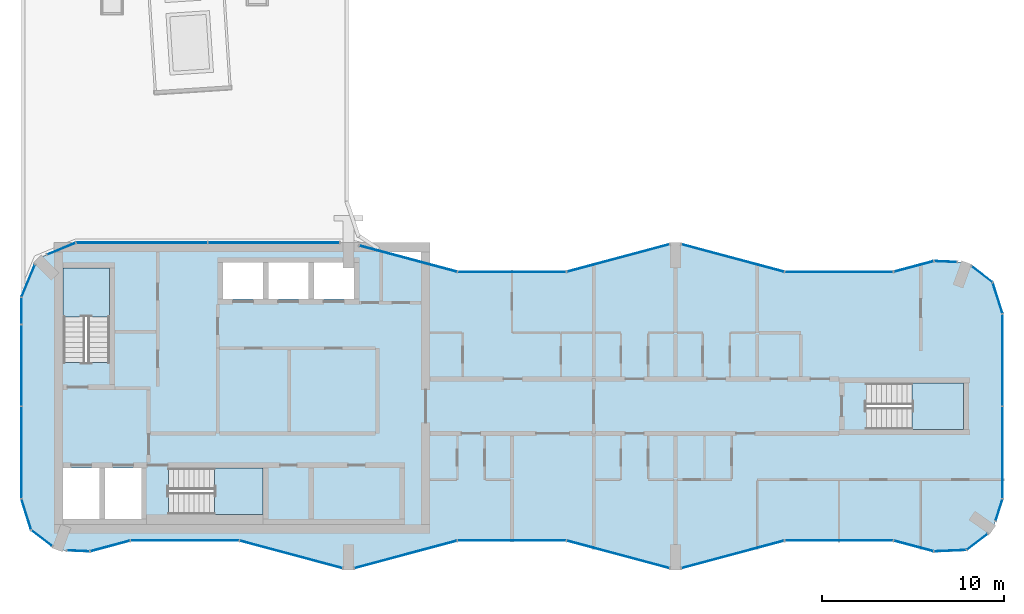
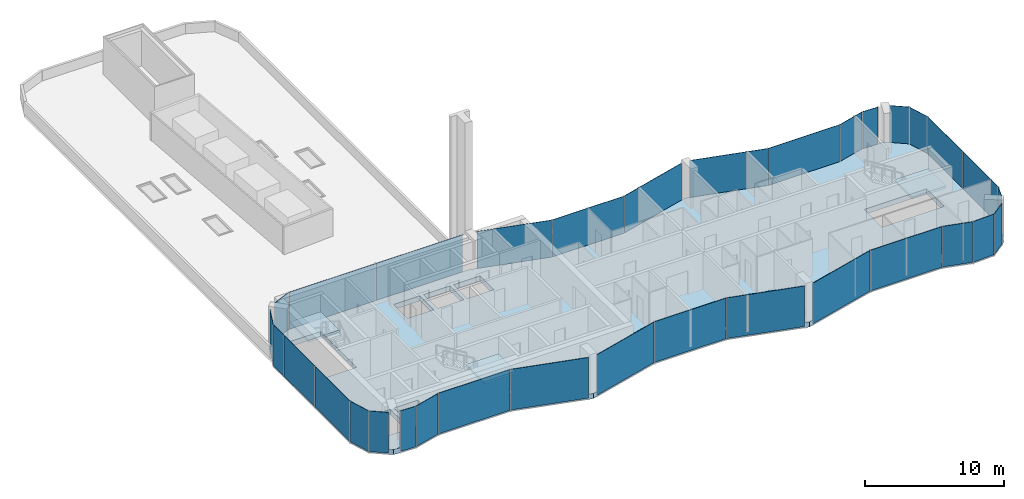
# One storey, part 6 of 13: 33 plates, 4 slabs, 32 elements without a shape of their own.
"""IFC4 building model written with IfcOpenShell, lengths in metres."""

from ifc_helpers import new_model, si_unit, direction, frame, origin, origin_2d, place, context, subcontext, project, spatial, polyline, rectangle, outline, extrude, material, layer, layer_set, type_object, element, aggregate, save


model = new_model("IFC4")

# Units and contexts
model_context = context("Model", 3, precision=1e-05, world=origin(), true_north=direction((0.0, 1.0)))
body_context = subcontext(model_context, "Body", "Model", "MODEL_VIEW")
ifc_project = project(units=[si_unit("LENGTHUNIT", "METRE"), si_unit("AREAUNIT", "SQUARE_METRE"), si_unit("VOLUMEUNIT", "CUBIC_METRE"), si_unit("PLANEANGLEUNIT", "RADIAN"), si_unit("MASSUNIT", "GRAM", prefix="KILO")], contexts=[model_context])

# Site, building, storey
site_placement = place(None, origin())
site = spatial("IfcSite", under=ifc_project, at=site_placement, CompositionType="ELEMENT")
building_placement = place(site_placement, origin())
building = spatial("IfcBuilding", under=site, at=building_placement, Name="Plateau Cross Towers", CompositionType="ELEMENT")
storey_placement = place(building_placement, frame((0.0, 0.0, 229.39990234375)))
storey = spatial("IfcBuildingStorey", under=building, at=storey_placement, Name="L60", CompositionType="ELEMENT", Elevation=229.39990234375)

# Curtain wall, plate
ifc_material_1 = material(Name="Dark low-iron glass", Category="glass")
ifc_layer_1 = layer(ifc_material_1, 0.239990234375)
ifc_layer_set_1 = layer_set([ifc_layer_1], Name="Dark low-iron glass")
curtain_wall_type_1 = type_object("IfcCurtainWallType", Name="Curtain wall flush unitised CW-B", PredefinedType="NOTDEFINED", material=ifc_layer_set_1)
curtain_wall_1_placement = place(storey_placement, origin())
curtain_wall_1 = element("IfcCurtainWall", 1, at=curtain_wall_1_placement, inside=storey, type_object=curtain_wall_type_1, Name="ENV/A/L60/A502_10", PredefinedType="NOTDEFINED")
ifc_layer_2 = layer(ifc_material_1, 0.031982421875)
ifc_layer_set_2 = layer_set([ifc_layer_2], Name="Dark low-iron glass")
plate_type_1 = type_object("IfcPlateType", Name="Glass panel 32 flush unitised", PredefinedType="CURTAIN_PANEL", material=ifc_layer_set_2)
plate_1_placement = place(storey_placement, frame((51.125, 1.05078125, -0.329833984375), z_axis=(0.0, 0.0, 1.0), x_axis=(0.999043701491, 0.043722791671, 0.0)))
plate_1 = element("IfcPlate", 2, at=plate_1_placement, type_object=plate_type_1, Name="CW-B panel 1", PredefinedType="CURTAIN_PANEL", context=body_context, shape_type="SweptSolid", body=[
    extrude(rectangle(XDim=1.744140625, YDim=0.031982421875, at=origin_2d()), origin(), (0.0, 0.0, 1.0), 3.580078125),
])
aggregate(curtain_wall_1, [plate_1])

curtain_wall_2_placement = place(storey_placement, origin())
curtain_wall_2 = element("IfcCurtainWall", 3, at=curtain_wall_2_placement, inside=storey, type_object=curtain_wall_type_1, Name="ENV/A/L60/A520_11", PredefinedType="NOTDEFINED")
plate_2_placement = place(storey_placement, frame((52.60986328125, 1.5380859375, -0.329833984375), z_axis=(0.0, 0.0, 1.0), x_axis=(0.793315514529, 0.608810721331, 0.0)))
plate_2 = element("IfcPlate", 4, at=plate_2_placement, type_object=plate_type_1, Name="CW-B panel 1", PredefinedType="CURTAIN_PANEL", context=body_context, shape_type="SweptSolid", body=[
    extrude(rectangle(XDim=1.41162109375, YDim=0.031982421875, at=origin_2d()), origin(), (0.0, 0.0, 1.0), 3.580078125),
])
aggregate(curtain_wall_2, [plate_2])

curtain_wall_3_placement = place(storey_placement, origin())
curtain_wall_3 = element("IfcCurtainWall", 5, at=curtain_wall_3_placement, inside=storey, type_object=curtain_wall_type_1, Name="ENV/A/L60/A536_27", PredefinedType="NOTDEFINED")
plate_3_placement = place(storey_placement, frame((53.805419921875, 3.292236328125, -0.329833984375), z_axis=(0.0, 0.0, 1.0), x_axis=(0.300686174994, 0.95372313811, 0.0)))
plate_3 = element("IfcPlate", 6, at=plate_3_placement, type_object=plate_type_1, Name="CW-B panel 1", PredefinedType="CURTAIN_PANEL", context=body_context, shape_type="SweptSolid", body=[
    extrude(rectangle(XDim=1.233642578125, YDim=0.031982421875, at=origin_2d()), origin(), (0.0, 0.0, 1.0), 3.580078125),
])
aggregate(curtain_wall_3, [plate_3])

# Curtain wall, plates
curtain_wall_4_placement = place(storey_placement, origin())
curtain_wall_4 = element("IfcCurtainWall", 7, at=curtain_wall_4_placement, inside=storey, type_object=curtain_wall_type_1, Name="ENV/A/L60/A540_39", PredefinedType="NOTDEFINED")
plate_4_placement = place(storey_placement, frame((54.0, 6.45458984375, -0.329833984375), z_axis=(0.0, 0.0, 1.0), x_axis=(0.0, 1.0, 0.0)))
plate_4 = element("IfcPlate", 8, at=plate_4_placement, type_object=plate_type_1, Name="CW-B panel 1", PredefinedType="CURTAIN_PANEL", context=body_context, shape_type="SweptSolid", body=[
    extrude(rectangle(XDim=5.03076171875, YDim=0.031982421875, at=origin_2d()), origin(), (0.0, 0.0, 1.0), 3.580078125),
])
plate_5_placement = place(storey_placement, frame((54.0, 11.54541015625, -0.329833984375), z_axis=(0.0, 0.0, 1.0), x_axis=(0.0, 1.0, 0.0)))
plate_5 = element("IfcPlate", 9, at=plate_5_placement, type_object=plate_type_1, Name="CW-B panel 2", PredefinedType="CURTAIN_PANEL", context=body_context, shape_type="SweptSolid", body=[
    extrude(rectangle(XDim=5.03076171875, YDim=0.031982421875, at=origin_2d()), origin(), (0.0, 0.0, 1.0), 3.580078125),
])
aggregate(curtain_wall_4, [plate_4, plate_5])

# Curtain wall, plate
curtain_wall_5_placement = place(storey_placement, origin())
curtain_wall_5 = element("IfcCurtainWall", 10, at=curtain_wall_5_placement, inside=storey, type_object=curtain_wall_type_1, Name="ENV/A/L60/A540_141", PredefinedType="NOTDEFINED")
plate_6_placement = place(storey_placement, frame((53.728759765625, 14.951171875, -0.329833984375), z_axis=(0.0, 0.0, 1.0), x_axis=(-0.300686174994, 0.95372313811, 0.0)))
plate_6 = element("IfcPlate", 11, at=plate_6_placement, type_object=plate_type_1, Name="CW-B panel 1", PredefinedType="CURTAIN_PANEL", context=body_context, shape_type="SweptSolid", body=[
    extrude(rectangle(XDim=1.744140625, YDim=0.031982421875, at=origin_2d()), origin(), (0.0, 0.0, 1.0), 3.580078125),
])
aggregate(curtain_wall_5, [plate_6])

curtain_wall_6_placement = place(storey_placement, origin())
curtain_wall_6 = element("IfcCurtainWall", 12, at=curtain_wall_6_placement, inside=storey, type_object=curtain_wall_type_1, Name="ENV/A/L60/A535_158", PredefinedType="NOTDEFINED")
plate_7_placement = place(storey_placement, frame((52.873779296875, 16.25927734375, -0.329833984375), z_axis=(0.0, 0.0, 1.0), x_axis=(-0.793315514529, 0.608810721331, 0.0)))
plate_7 = element("IfcPlate", 13, at=plate_7_placement, type_object=plate_type_1, Name="CW-B panel 1", PredefinedType="CURTAIN_PANEL", context=body_context, shape_type="SweptSolid", body=[
    extrude(rectangle(XDim=1.41162109375, YDim=0.031982421875, at=origin_2d()), origin(), (0.0, 0.0, 1.0), 3.580078125),
])
aggregate(curtain_wall_6, [plate_7])

curtain_wall_7_placement = place(storey_placement, origin())
curtain_wall_7 = element("IfcCurtainWall", 14, at=curtain_wall_7_placement, inside=storey, type_object=curtain_wall_type_1, Name="ENV/A/L60/A515_169", PredefinedType="NOTDEFINED")
plate_8_placement = place(storey_placement, frame((50.8701171875, 16.96044921875, -0.329833984375), z_axis=(0.0, 0.0, 1.0), x_axis=(-0.999043701491, 0.043722791671, 0.0)))
plate_8 = element("IfcPlate", 15, at=plate_8_placement, type_object=plate_type_1, Name="CW-B panel 1", PredefinedType="CURTAIN_PANEL", context=body_context, shape_type="SweptSolid", body=[
    extrude(rectangle(XDim=1.233642578125, YDim=0.031982421875, at=origin_2d()), origin(), (0.0, 0.0, 1.0), 3.580078125),
])
aggregate(curtain_wall_7, [plate_8])

# Curtain wall, plates
curtain_wall_8_placement = place(storey_placement, origin())
curtain_wall_8 = element("IfcCurtainWall", 16, at=curtain_wall_8_placement, inside=storey, type_object=curtain_wall_type_1, Name="ENV/A/L60/A175_180", PredefinedType="NOTDEFINED")
plate_9_placement = place(storey_placement, frame((13.884765625, 18.0, -0.329833984375), z_axis=(0.0, 0.0, 1.0), x_axis=(-1.0, 0.0, 0.0)))
plate_9 = element("IfcPlate", 17, at=plate_9_placement, type_object=plate_type_1, Name="CW-B panel 1", PredefinedType="CURTAIN_PANEL", context=body_context, shape_type="SweptSolid", body=[
    extrude(rectangle(XDim=7.196533203125, YDim=0.031982421875, at=origin_2d()), origin(), (0.0, 0.0, 1.0), 3.580078125),
])
plate_10_placement = place(storey_placement, frame((6.628173828125, 18.0, -0.329833984375), z_axis=(0.0, 0.0, 1.0), x_axis=(-1.0, 0.0, 0.0)))
plate_10 = element("IfcPlate", 18, at=plate_10_placement, type_object=plate_type_1, Name="CW-B panel 2", PredefinedType="CURTAIN_PANEL", context=body_context, shape_type="SweptSolid", body=[
    extrude(rectangle(XDim=7.196533203125, YDim=0.031982421875, at=origin_2d()), origin(), (0.0, 0.0, 1.0), 3.580078125),
])
aggregate(curtain_wall_8, [plate_9, plate_10])

# Curtain wall, plate
curtain_wall_9_placement = place(storey_placement, origin())
curtain_wall_9 = element("IfcCurtainWall", 19, at=curtain_wall_9_placement, inside=storey, type_object=curtain_wall_type_1, Name="ENV/A/L60/A30_180", PredefinedType="NOTDEFINED")
plate_11_placement = place(storey_placement, frame((2.20166015625, 17.66943359375, -0.329833984375), z_axis=(0.0, 0.0, 1.0), x_axis=(-0.923879457699, -0.382683612978, 0.0)))
plate_11 = element("IfcPlate", 20, at=plate_11_placement, type_object=plate_type_1, Name="CW-B panel 1", PredefinedType="CURTAIN_PANEL", context=body_context, shape_type="SweptSolid", body=[
    extrude(rectangle(XDim=1.668212890625, YDim=0.031982421875, at=origin_2d()), origin(), (0.0, 0.0, 1.0), 3.580078125),
])
aggregate(curtain_wall_9, [plate_11])

curtain_wall_10_placement = place(storey_placement, origin())
curtain_wall_10 = element("IfcCurtainWall", 21, at=curtain_wall_10_placement, inside=storey, type_object=curtain_wall_type_1, Name="ENV/A/L60/A7_168", PredefinedType="NOTDEFINED")
plate_12_placement = place(storey_placement, frame((0.3740234375, 15.90283203125, -0.329833984375), z_axis=(0.0, 0.0, 1.0), x_axis=(-0.382683612978, -0.923879457699, 0.0)))
plate_12 = element("IfcPlate", 22, at=plate_12_placement, type_object=plate_type_1, Name="CW-B panel 1", PredefinedType="CURTAIN_PANEL", context=body_context, shape_type="SweptSolid", body=[
    extrude(rectangle(XDim=1.894775390625, YDim=0.031982421875, at=origin_2d()), origin(), (0.0, 0.0, 1.0), 3.580078125),
])
aggregate(curtain_wall_10, [plate_12])

# Curtain wall, plates
curtain_wall_11_placement = place(storey_placement, origin())
curtain_wall_11 = element("IfcCurtainWall", 23, at=curtain_wall_11_placement, inside=storey, type_object=curtain_wall_type_1, Name="ENV/A/L60/A0_150", PredefinedType="NOTDEFINED")
plate_13_placement = place(storey_placement, frame((0.0, 14.25, -0.329833984375), z_axis=(0.0, 0.0, 1.0), x_axis=(0.0, -1.0, 0.0)))
plate_13 = element("IfcPlate", 24, at=plate_13_placement, type_object=plate_type_1, Name="CW-B panel 1", PredefinedType="CURTAIN_PANEL", context=body_context, shape_type="SweptSolid", body=[
    extrude(rectangle(XDim=1.43994140625, YDim=0.031982421875, at=origin_2d()), origin(), (0.0, 0.0, 1.0), 3.580078125),
])
plate_14_placement = place(storey_placement, frame((0.0, 11.25, -0.329833984375), z_axis=(0.0, 0.0, 1.0), x_axis=(0.0, -1.0, 0.0)))
plate_14 = element("IfcPlate", 25, at=plate_14_placement, type_object=plate_type_1, Name="CW-B panel 2", PredefinedType="CURTAIN_PANEL", context=body_context, shape_type="SweptSolid", body=[
    extrude(rectangle(XDim=4.43994140625, YDim=0.031982421875, at=origin_2d()), origin(), (0.0, 0.0, 1.0), 3.580078125),
])
plate_15_placement = place(storey_placement, frame((0.0, 6.45458984375, -0.329833984375), z_axis=(0.0, 0.0, 1.0), x_axis=(0.0, -1.0, 0.0)))
plate_15 = element("IfcPlate", 26, at=plate_15_placement, type_object=plate_type_1, Name="CW-B panel 3", PredefinedType="CURTAIN_PANEL", context=body_context, shape_type="SweptSolid", body=[
    extrude(rectangle(XDim=5.03076171875, YDim=0.031982421875, at=origin_2d()), origin(), (0.0, 0.0, 1.0), 3.580078125),
])
aggregate(curtain_wall_11, [plate_13, plate_14, plate_15])

# Curtain wall, plate
curtain_wall_12_placement = place(storey_placement, origin())
curtain_wall_12 = element("IfcCurtainWall", 27, at=curtain_wall_12_placement, inside=storey, type_object=curtain_wall_type_1, Name="ENV/A/L60/A0_39", PredefinedType="NOTDEFINED")
plate_16_placement = place(storey_placement, frame((0.271240234375, 3.048828125, -0.329833984375), z_axis=(0.0, 0.0, 1.0), x_axis=(0.300686174994, -0.95372313811, 0.0)))
plate_16 = element("IfcPlate", 28, at=plate_16_placement, type_object=plate_type_1, Name="CW-B panel 1", PredefinedType="CURTAIN_PANEL", context=body_context, shape_type="SweptSolid", body=[
    extrude(rectangle(XDim=1.744140625, YDim=0.031982421875, at=origin_2d()), origin(), (0.0, 0.0, 1.0), 3.580078125),
])
aggregate(curtain_wall_12, [plate_16])

curtain_wall_13_placement = place(storey_placement, origin())
curtain_wall_13 = element("IfcCurtainWall", 29, at=curtain_wall_13_placement, inside=storey, type_object=curtain_wall_type_1, Name="ENV/A/L60/A5_22", PredefinedType="NOTDEFINED")
plate_17_placement = place(storey_placement, frame((1.126220703125, 1.74072265625, -0.329833984375), z_axis=(0.0, 0.0, 1.0), x_axis=(0.793315514529, -0.608810721331, 0.0)))
plate_17 = element("IfcPlate", 30, at=plate_17_placement, type_object=plate_type_1, Name="CW-B panel 1", PredefinedType="CURTAIN_PANEL", context=body_context, shape_type="SweptSolid", body=[
    extrude(rectangle(XDim=1.41162109375, YDim=0.031982421875, at=origin_2d()), origin(), (0.0, 0.0, 1.0), 3.580078125),
])
aggregate(curtain_wall_13, [plate_17])

curtain_wall_14_placement = place(storey_placement, origin())
curtain_wall_14 = element("IfcCurtainWall", 31, at=curtain_wall_14_placement, inside=storey, type_object=curtain_wall_type_1, Name="ENV/A/L60/A25_11", PredefinedType="NOTDEFINED")
plate_18_placement = place(storey_placement, frame((3.1298828125, 1.03955078125, -0.329833984375), z_axis=(0.0, 0.0, 1.0), x_axis=(0.999043701491, -0.043722791671, 0.0)))
plate_18 = element("IfcPlate", 32, at=plate_18_placement, type_object=plate_type_1, Name="CW-B panel 1", PredefinedType="CURTAIN_PANEL", context=body_context, shape_type="SweptSolid", body=[
    extrude(rectangle(XDim=1.233642578125, YDim=0.031982421875, at=origin_2d()), origin(), (0.0, 0.0, 1.0), 3.580078125),
])
aggregate(curtain_wall_14, [plate_18])

ifc_layer_3 = layer(ifc_material_1, 0.260009765625)
ifc_layer_set_3 = layer_set([ifc_layer_3], Name="Dark low-iron glass")
curtain_wall_type_2 = type_object("IfcCurtainWallType", Name="Curtain wall fluted unitised CW-A", PredefinedType="NOTDEFINED", material=ifc_layer_set_3)
curtain_wall_15_placement = place(storey_placement, origin())
curtain_wall_15 = element("IfcCurtainWall", 33, at=curtain_wall_15_placement, inside=storey, type_object=curtain_wall_type_2, Name="ENV/A/L60/A38_10", PredefinedType="NOTDEFINED")
ifc_layer_4 = layer(ifc_material_1, 0.035888671875)
ifc_layer_set_4 = layer_set([ifc_layer_4], Name="Dark low-iron glass")
plate_type_2 = type_object("IfcPlateType", Name="Glass panel 36 fluted unitised", PredefinedType="CURTAIN_PANEL", material=ifc_layer_set_4)
plate_19_placement = place(storey_placement, frame((4.887939453125, 1.30908203125, -0.329833984375), z_axis=(0.0, 0.0, 1.0), x_axis=(0.965957962328, 0.258699081978, 0.0)))
plate_19 = element("IfcPlate", 34, at=plate_19_placement, type_object=plate_type_2, Name="CW-A panel 1", PredefinedType="CURTAIN_PANEL", context=body_context, shape_type="SweptSolid", body=[
    extrude(rectangle(XDim=2.2421875, YDim=0.035888671875, at=origin_2d()), origin(), (0.0, 0.0, 1.0), 3.580078125),
])
aggregate(curtain_wall_15, [plate_19])

curtain_wall_16_placement = place(storey_placement, origin())
curtain_wall_16 = element("IfcCurtainWall", 35, at=curtain_wall_16_placement, inside=storey, type_object=curtain_wall_type_2, Name="ENV/A/L60/A60_16", PredefinedType="NOTDEFINED")
plate_20_placement = place(storey_placement, frame((9.0, 1.60693359375, -0.329833984375), z_axis=(0.0, 0.0, 1.0), x_axis=(1.0, 0.0, 0.0)))
plate_20 = element("IfcPlate", 36, at=plate_20_placement, type_object=plate_type_2, Name="CW-A panel 1", PredefinedType="CURTAIN_PANEL", context=body_context, shape_type="SweptSolid", body=[
    extrude(rectangle(XDim=5.93994140625, YDim=0.035888671875, at=origin_2d()), origin(), (0.0, 0.0, 1.0), 3.580078125),
])
aggregate(curtain_wall_16, [plate_20])

curtain_wall_17_placement = place(storey_placement, origin())
curtain_wall_17 = element("IfcCurtainWall", 37, at=curtain_wall_17_placement, inside=storey, type_object=curtain_wall_type_2, Name="ENV/A/L60/A120_16", PredefinedType="NOTDEFINED")
plate_21_placement = place(storey_placement, frame((14.841064453125, 0.845947265625, -0.329833984375), z_axis=(0.0, 0.0, 1.0), x_axis=(0.965957983404, -0.258699003279, 0.0)))
plate_21 = element("IfcPlate", 38, at=plate_21_placement, type_object=plate_type_2, Name="CW-A panel 1", PredefinedType="CURTAIN_PANEL", context=body_context, shape_type="SweptSolid", body=[
    extrude(rectangle(XDim=5.822265625, YDim=0.035888671875, at=origin_2d()), origin(), (0.0, 0.0, 1.0), 3.580078125),
])
aggregate(curtain_wall_17, [plate_21])

curtain_wall_18_placement = place(storey_placement, origin())
curtain_wall_18 = element("IfcCurtainWall", 39, at=curtain_wall_18_placement, inside=storey, type_object=curtain_wall_type_2, Name="ENV/A/L60/A183_1", PredefinedType="NOTDEFINED")
plate_22_placement = place(storey_placement, frame((21.158935546875, 0.845947265625, -0.329833984375), z_axis=(0.0, 0.0, 1.0), x_axis=(0.965957983404, 0.258699003279, 0.0)))
plate_22 = element("IfcPlate", 40, at=plate_22_placement, type_object=plate_type_2, Name="CW-A panel 1", PredefinedType="CURTAIN_PANEL", context=body_context, shape_type="SweptSolid", body=[
    extrude(rectangle(XDim=5.822265625, YDim=0.035888671875, at=origin_2d()), origin(), (0.0, 0.0, 1.0), 3.580078125),
])
aggregate(curtain_wall_18, [plate_22])

curtain_wall_19_placement = place(storey_placement, origin())
curtain_wall_19 = element("IfcCurtainWall", 41, at=curtain_wall_19_placement, inside=storey, type_object=curtain_wall_type_2, Name="ENV/A/L60/A240_16", PredefinedType="NOTDEFINED")
plate_23_placement = place(storey_placement, frame((27.0, 1.60693359375, -0.329833984375), z_axis=(0.0, 0.0, 1.0), x_axis=(1.0, 0.0, 0.0)))
plate_23 = element("IfcPlate", 42, at=plate_23_placement, type_object=plate_type_2, Name="CW-A panel 1", PredefinedType="CURTAIN_PANEL", context=body_context, shape_type="SweptSolid", body=[
    extrude(rectangle(XDim=5.93994140625, YDim=0.035888671875, at=origin_2d()), origin(), (0.0, 0.0, 1.0), 3.580078125),
])
aggregate(curtain_wall_19, [plate_23])

curtain_wall_20_placement = place(storey_placement, origin())
curtain_wall_20 = element("IfcCurtainWall", 43, at=curtain_wall_20_placement, inside=storey, type_object=curtain_wall_type_2, Name="ENV/A/L60/A300_16", PredefinedType="NOTDEFINED")
plate_24_placement = place(storey_placement, frame((32.841064453125, 0.845947265625, -0.329833984375), z_axis=(0.0, 0.0, 1.0), x_axis=(0.965957983404, -0.258699003279, 0.0)))
plate_24 = element("IfcPlate", 44, at=plate_24_placement, type_object=plate_type_2, Name="CW-A panel 1", PredefinedType="CURTAIN_PANEL", context=body_context, shape_type="SweptSolid", body=[
    extrude(rectangle(XDim=5.822265625, YDim=0.035888671875, at=origin_2d()), origin(), (0.0, 0.0, 1.0), 3.580078125),
])
aggregate(curtain_wall_20, [plate_24])

curtain_wall_21_placement = place(storey_placement, origin())
curtain_wall_21 = element("IfcCurtainWall", 45, at=curtain_wall_21_placement, inside=storey, type_object=curtain_wall_type_2, Name="ENV/A/L60/A363_1", PredefinedType="NOTDEFINED")
plate_25_placement = place(storey_placement, frame((39.158935546875, 0.845947265625, -0.329833984375), z_axis=(0.0, 0.0, 1.0), x_axis=(0.965957983404, 0.258699003279, 0.0)))
plate_25 = element("IfcPlate", 46, at=plate_25_placement, type_object=plate_type_2, Name="CW-A panel 1", PredefinedType="CURTAIN_PANEL", context=body_context, shape_type="SweptSolid", body=[
    extrude(rectangle(XDim=5.822265625, YDim=0.035888671875, at=origin_2d()), origin(), (0.0, 0.0, 1.0), 3.580078125),
])
aggregate(curtain_wall_21, [plate_25])

curtain_wall_22_placement = place(storey_placement, origin())
curtain_wall_22 = element("IfcCurtainWall", 47, at=curtain_wall_22_placement, inside=storey, type_object=curtain_wall_type_2, Name="ENV/A/L60/A420_16", PredefinedType="NOTDEFINED")
plate_26_placement = place(storey_placement, frame((45.0, 1.60693359375, -0.329833984375), z_axis=(0.0, 0.0, 1.0), x_axis=(1.0, 0.0, 0.0)))
plate_26 = element("IfcPlate", 48, at=plate_26_placement, type_object=plate_type_2, Name="CW-A panel 1", PredefinedType="CURTAIN_PANEL", context=body_context, shape_type="SweptSolid", body=[
    extrude(rectangle(XDim=5.93994140625, YDim=0.035888671875, at=origin_2d()), origin(), (0.0, 0.0, 1.0), 3.580078125),
])
aggregate(curtain_wall_22, [plate_26])

curtain_wall_23_placement = place(storey_placement, origin())
curtain_wall_23 = element("IfcCurtainWall", 49, at=curtain_wall_23_placement, inside=storey, type_object=curtain_wall_type_2, Name="ENV/A/L60/A480_16", PredefinedType="NOTDEFINED")
plate_27_placement = place(storey_placement, frame((49.112060546875, 1.30908203125, -0.329833984375), z_axis=(0.0, 0.0, 1.0), x_axis=(0.965957962328, -0.258699081978, 0.0)))
plate_27 = element("IfcPlate", 50, at=plate_27_placement, type_object=plate_type_2, Name="CW-A panel 1", PredefinedType="CURTAIN_PANEL", context=body_context, shape_type="SweptSolid", body=[
    extrude(rectangle(XDim=2.2421875, YDim=0.035888671875, at=origin_2d()), origin(), (0.0, 0.0, 1.0), 3.580078125),
])
aggregate(curtain_wall_23, [plate_27])

curtain_wall_24_placement = place(storey_placement, origin())
curtain_wall_24 = element("IfcCurtainWall", 51, at=curtain_wall_24_placement, inside=storey, type_object=curtain_wall_type_2, Name="ENV/A/L60/A502_170", PredefinedType="NOTDEFINED")
plate_28_placement = place(storey_placement, frame((49.112060546875, 16.69091796875, -0.329833984375), z_axis=(0.0, 0.0, 1.0), x_axis=(-0.965957962328, -0.258699081978, 0.0)))
plate_28 = element("IfcPlate", 52, at=plate_28_placement, type_object=plate_type_2, Name="CW-A panel 1", PredefinedType="CURTAIN_PANEL", context=body_context, shape_type="SweptSolid", body=[
    extrude(rectangle(XDim=2.2421875, YDim=0.035888671875, at=origin_2d()), origin(), (0.0, 0.0, 1.0), 3.580078125),
])
aggregate(curtain_wall_24, [plate_28])

curtain_wall_25_placement = place(storey_placement, origin())
curtain_wall_25 = element("IfcCurtainWall", 53, at=curtain_wall_25_placement, inside=storey, type_object=curtain_wall_type_2, Name="ENV/A/L60/A480_164", PredefinedType="NOTDEFINED")
plate_29_placement = place(storey_placement, frame((45.0, 16.39306640625, -0.329833984375), z_axis=(0.0, 0.0, 1.0), x_axis=(-1.0, 0.0, 0.0)))
plate_29 = element("IfcPlate", 54, at=plate_29_placement, type_object=plate_type_2, Name="CW-A panel 1", PredefinedType="CURTAIN_PANEL", context=body_context, shape_type="SweptSolid", body=[
    extrude(rectangle(XDim=5.93994140625, YDim=0.035888671875, at=origin_2d()), origin(), (0.0, 0.0, 1.0), 3.580078125),
])
aggregate(curtain_wall_25, [plate_29])

curtain_wall_26_placement = place(storey_placement, origin())
curtain_wall_26 = element("IfcCurtainWall", 55, at=curtain_wall_26_placement, inside=storey, type_object=curtain_wall_type_2, Name="ENV/A/L60/A420_164", PredefinedType="NOTDEFINED")
plate_30_placement = place(storey_placement, frame((39.158935546875, 17.154052734375, -0.329833984375), z_axis=(0.0, 0.0, 1.0), x_axis=(-0.965957983404, 0.258699003279, 0.0)))
plate_30 = element("IfcPlate", 56, at=plate_30_placement, type_object=plate_type_2, Name="CW-A panel 1", PredefinedType="CURTAIN_PANEL", context=body_context, shape_type="SweptSolid", body=[
    extrude(rectangle(XDim=5.822265625, YDim=0.035888671875, at=origin_2d()), origin(), (0.0, 0.0, 1.0), 3.580078125),
])
aggregate(curtain_wall_26, [plate_30])

curtain_wall_27_placement = place(storey_placement, origin())
curtain_wall_27 = element("IfcCurtainWall", 57, at=curtain_wall_27_placement, inside=storey, type_object=curtain_wall_type_2, Name="ENV/A/L60/A357_179", PredefinedType="NOTDEFINED")
plate_31_placement = place(storey_placement, frame((32.841064453125, 17.154052734375, -0.329833984375), z_axis=(0.0, 0.0, 1.0), x_axis=(-0.965957983404, -0.258699003279, 0.0)))
plate_31 = element("IfcPlate", 58, at=plate_31_placement, type_object=plate_type_2, Name="CW-A panel 1", PredefinedType="CURTAIN_PANEL", context=body_context, shape_type="SweptSolid", body=[
    extrude(rectangle(XDim=5.822265625, YDim=0.035888671875, at=origin_2d()), origin(), (0.0, 0.0, 1.0), 3.580078125),
])
aggregate(curtain_wall_27, [plate_31])

curtain_wall_28_placement = place(storey_placement, origin())
curtain_wall_28 = element("IfcCurtainWall", 59, at=curtain_wall_28_placement, inside=storey, type_object=curtain_wall_type_2, Name="ENV/A/L60/A300_164", PredefinedType="NOTDEFINED")
plate_32_placement = place(storey_placement, frame((27.0, 16.39306640625, -0.329833984375), z_axis=(0.0, 0.0, 1.0), x_axis=(-1.0, 0.0, 0.0)))
plate_32 = element("IfcPlate", 60, at=plate_32_placement, type_object=plate_type_2, Name="CW-A panel 1", PredefinedType="CURTAIN_PANEL", context=body_context, shape_type="SweptSolid", body=[
    extrude(rectangle(XDim=5.93994140625, YDim=0.035888671875, at=origin_2d()), origin(), (0.0, 0.0, 1.0), 3.580078125),
])
aggregate(curtain_wall_28, [plate_32])

curtain_wall_29_placement = place(storey_placement, origin())
curtain_wall_29 = element("IfcCurtainWall", 61, at=curtain_wall_29_placement, inside=storey, type_object=curtain_wall_type_2, Name="ENV/A/L60/A240_164", PredefinedType="NOTDEFINED")
plate_33_placement = place(storey_placement, frame((21.291015625, 17.11865234375, -0.329833984375), z_axis=(0.0, 0.0, 1.0), x_axis=(-0.965957983404, 0.258699003279, 0.0)))
plate_33 = element("IfcPlate", 62, at=plate_33_placement, type_object=plate_type_2, Name="CW-A panel 1", PredefinedType="CURTAIN_PANEL", context=body_context, shape_type="SweptSolid", body=[
    extrude(rectangle(XDim=5.548828125, YDim=0.035888671875, at=origin_2d()), origin(), (0.0, 0.0, 1.0), 3.580078125),
])
aggregate(curtain_wall_29, [plate_33])

# Slab
ifc_material_2 = material(Name="Concrete C40/50", Category="concrete")
ifc_layer_5 = layer(ifc_material_2, 0.449951171875)
ifc_layer_set_5 = layer_set([ifc_layer_5], Name="Concrete C40/50")
slab_type_1 = type_object("IfcSlabType", Name="Post-tensioned flat plate slab 450", PredefinedType="FLOOR", material=ifc_layer_set_5)
slab_1_placement = place(storey_placement, frame((0.0, 0.0, -0.449951171875)))
element("IfcSlab", 63, at=slab_1_placement, inside=storey, type_object=slab_type_1, Name="SL-A-L60", PredefinedType="FLOOR", context=body_context, shape_type="SweptSolid", body=[
    extrude(outline(polyline([(1.9736328125, 1.090087890625), (0.54248046875, 2.1884765625), (0.0, 3.9091796875), (0.0, 15.0), (0.878662109375, 17.121337890625), (3.0, 18.0), (18.0, 18.0), (24.0, 16.39306640625), (30.0, 16.39306640625), (36.0, 18.0), (42.0, 16.39306640625), (48.0, 16.39306640625), (50.223876953125, 16.98876953125), (52.0263671875, 16.909912109375), (53.45751953125, 15.8115234375), (54.0, 14.0908203125), (54.0, 3.9091796875), (53.45751953125, 2.1884765625), (52.0263671875, 1.090087890625), (50.223876953125, 1.01123046875), (48.0, 1.60693359375), (42.0, 1.60693359375), (36.0, 0.0), (30.0, 1.60693359375), (24.0, 1.60693359375), (18.0, 0.0), (12.0, 1.60693359375), (6.0, 1.60693359375), (3.776123046875, 1.01123046875), (1.9736328125, 1.090087890625)]), holes=[polyline([(4.300048828125, 5.60009765625), (2.300048828125, 5.60009765625), (2.300048828125, 2.800048828125), (4.300048828125, 2.800048828125), (4.300048828125, 5.60009765625)]), polyline([(6.60009765625, 5.60009765625), (4.60009765625, 5.60009765625), (4.60009765625, 2.800048828125), (6.60009765625, 2.800048828125), (6.60009765625, 5.60009765625)]), polyline([(13.300048828125, 5.60009765625), (8.10009765625, 5.60009765625), (8.10009765625, 3.050048828125), (13.300048828125, 3.050048828125), (13.300048828125, 5.60009765625)]), polyline([(51.699951171875, 10.27490234375), (46.5, 10.27490234375), (46.5, 7.72509765625), (51.699951171875, 7.72509765625), (51.699951171875, 10.27490234375)]), polyline([(2.300048828125, 16.60009765625), (2.300048828125, 11.39990234375), (4.85009765625, 11.39990234375), (4.85009765625, 16.60009765625), (2.300048828125, 16.60009765625)]), polyline([(13.300048828125, 16.89990234375), (11.10009765625, 16.89990234375), (11.10009765625, 14.89990234375), (13.300048828125, 14.89990234375), (13.300048828125, 16.89990234375)]), polyline([(15.800048828125, 16.89990234375), (13.60009765625, 16.89990234375), (13.60009765625, 14.89990234375), (15.800048828125, 14.89990234375), (15.800048828125, 16.89990234375)]), polyline([(18.300048828125, 14.89990234375), (18.300048828125, 16.89990234375), (16.10009765625, 16.89990234375), (16.10009765625, 14.89990234375), (18.300048828125, 14.89990234375)])]), origin(), (0.0, 0.0, 1.0), 0.449951171875),
])

# Stair, slab
stair_type = type_object("IfcStairType", Name="ST-TWR", PredefinedType="HALF_TURN_STAIR", material=ifc_material_2)
stair_1_placement = place(storey_placement, origin())
stair_1 = element("IfcStair", 64, at=stair_1_placement, inside=storey, type_object=stair_type, Name="L60 Protected Exit Stair ST-1", PredefinedType="HALF_TURN_STAIR")
ifc_layer_6 = layer(ifc_material_2, 0.199951171875)
ifc_layer_set_6 = layer_set([ifc_layer_6], Name="Concrete C40/50")
slab_type_2 = type_object("IfcSlabType", Name="SL-LANDING", PredefinedType="LANDING", material=ifc_layer_set_6)
slab_2_placement = place(storey_placement, frame((0.0, 0.0, 1.550048828125)))
slab_2 = element("IfcSlab", 65, at=slab_2_placement, type_object=slab_type_2, Name="ST-1 landing 1", PredefinedType="LANDING", context=body_context, shape_type="SweptSolid", body=[
    extrude(outline(polyline([(4.85009765625, 13.919921875), (4.85009765625, 16.60009765625), (2.300048828125, 16.60009765625), (2.300048828125, 13.919921875), (4.85009765625, 13.919921875)])), origin(), (0.0, 0.0, 1.0), 0.199951171875),
])
aggregate(stair_1, [slab_2])

stair_2_placement = place(storey_placement, origin())
stair_2 = element("IfcStair", 66, at=stair_2_placement, inside=storey, type_object=stair_type, Name="L60 Protected Exit Stair ST-2", PredefinedType="HALF_TURN_STAIR")
slab_3_placement = place(storey_placement, frame((0.0, 0.0, 1.550048828125)))
slab_3 = element("IfcSlab", 67, at=slab_3_placement, type_object=slab_type_2, Name="ST-2 landing 1", PredefinedType="LANDING", context=body_context, shape_type="SweptSolid", body=[
    extrude(outline(polyline([(10.6201171875, 3.050048828125), (13.300048828125, 3.050048828125), (13.300048828125, 5.60009765625), (10.6201171875, 5.60009765625), (10.6201171875, 3.050048828125)])), origin(), (0.0, 0.0, 1.0), 0.199951171875),
])
aggregate(stair_2, [slab_3])

stair_3_placement = place(storey_placement, origin())
stair_3 = element("IfcStair", 68, at=stair_3_placement, inside=storey, type_object=stair_type, Name="L60 Protected Exit Stair E", PredefinedType="HALF_TURN_STAIR")
slab_4_placement = place(storey_placement, frame((0.0, 0.0, 1.550048828125)))
slab_4 = element("IfcSlab", 69, at=slab_4_placement, type_object=slab_type_2, Name="ES-E landing 1", PredefinedType="LANDING", context=body_context, shape_type="SweptSolid", body=[
    extrude(outline(polyline([(49.02001953125, 7.72509765625), (51.85009765625, 7.72509765625), (51.85009765625, 10.27490234375), (49.02001953125, 10.27490234375), (49.02001953125, 7.72509765625)])), origin(), (0.0, 0.0, 1.0), 0.199951171875),
])
aggregate(stair_3, [slab_4])

save(model, "model.ifc")
